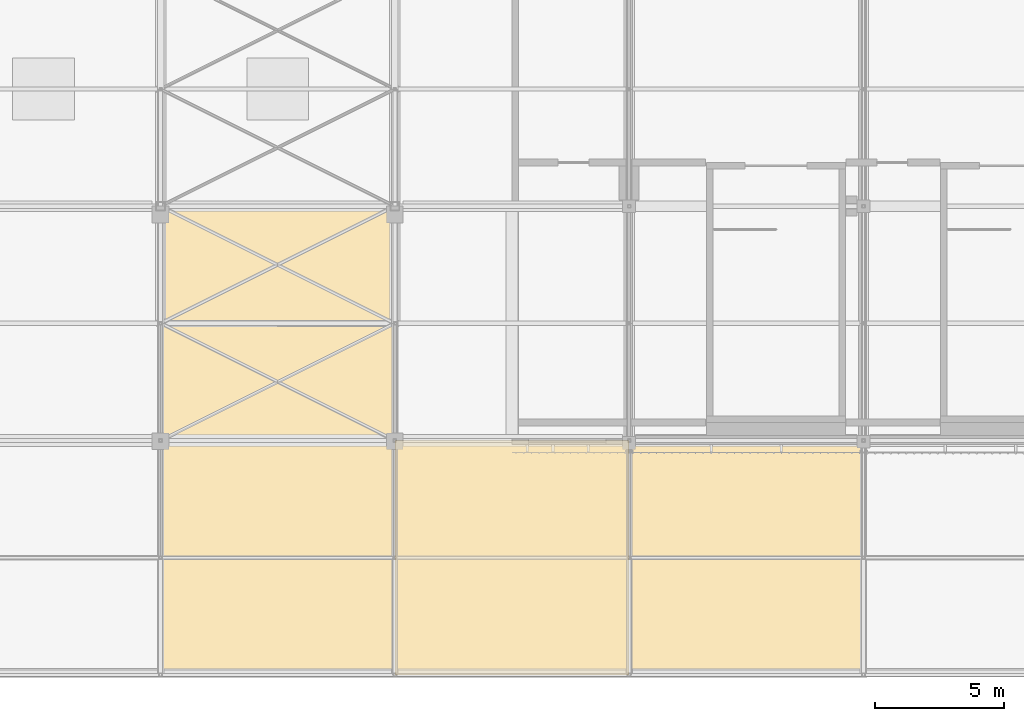
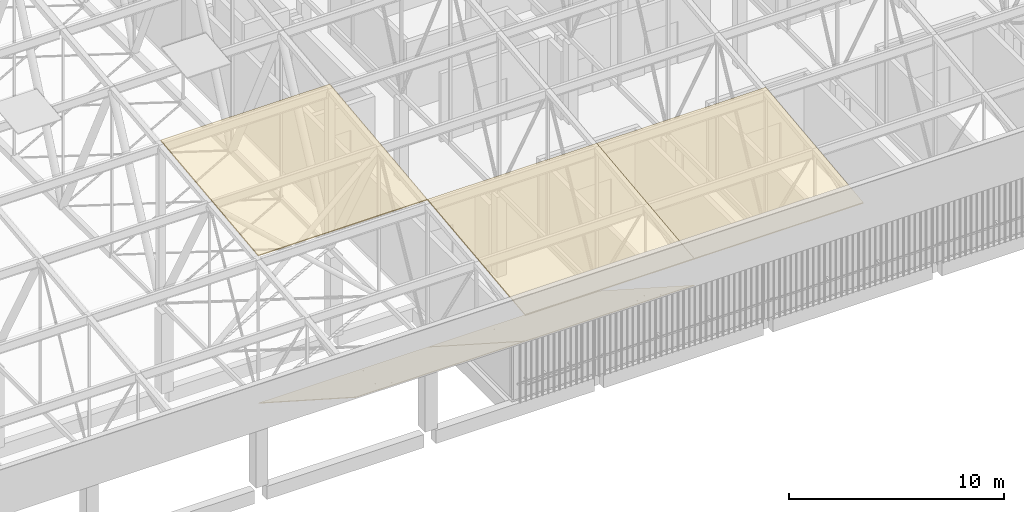
# One storey, part 467 of 500: 5 coverings.
"""IFC4 building model written with IfcOpenShell, lengths in metres."""

from ifc_helpers import new_model, si_unit, direction, frame, origin, place, context, subcontext, project, spatial, polyline, outline, extrude, material, layer, layer_set, type_object, element, save


model = new_model("IFC4")

# Units and contexts
model_context = context("Model", 3, precision=1e-05, world=origin(), true_north=direction((0.0, 1.0)))
body_context = subcontext(model_context, "Body", "Model", "MODEL_VIEW")
ifc_project = project(units=[si_unit("LENGTHUNIT", "METRE"), si_unit("AREAUNIT", "SQUARE_METRE"), si_unit("VOLUMEUNIT", "CUBIC_METRE"), si_unit("PLANEANGLEUNIT", "RADIAN"), si_unit("MASSUNIT", "GRAM", prefix="KILO")], contexts=[model_context])

# Site, building, storey
site_placement = place(None, origin())
site = spatial("IfcSite", under=ifc_project, at=site_placement, CompositionType="ELEMENT")
building_placement = place(site_placement, origin())
building = spatial("IfcBuilding", under=site, at=building_placement, Name="Shirokan Park Arena", CompositionType="ELEMENT")
storey_placement = place(building_placement, frame((0.0, 0.0, 29.1201171875)))
storey = spatial("IfcBuildingStorey", under=building, at=storey_placement, Name="L06", CompositionType="ELEMENT", Elevation=29.1201171875)

# Coverings
ifc_material_1 = material(Name="Bituminous roofing membrane")
ifc_layer_1 = layer(ifc_material_1, 0.010009765625, Name="Bituminous roofing membrane")
ifc_material_2 = material(Name="Mineral wool insulation")
ifc_layer_2 = layer(ifc_material_2, 0.050048828125, Name="Mineral wool insulation")
ifc_layer_set_1 = layer_set([ifc_layer_1, ifc_layer_2], Name="Bituminous roofing membrane + Mineral wool insulation")
covering_type_1 = type_object("IfcCoveringType", Name="Roofing membrane 60", PredefinedType="ROOFING", material=ifc_layer_set_1)
covering_1_placement = place(storey_placement, frame((91.0, 0.0, 12.9306640625), z_axis=(0.0, -0.113549598152, 0.993532328996), x_axis=(1.0, 0.0, 0.0)))
element("IfcCovering", 1, at=covering_1_placement, inside=storey, type_object=covering_type_1, Name="Roofing", PredefinedType="ROOFING", context=body_context, shape_type="SweptSolid", body=[
    extrude(outline(polyline([(0.0, 0.0), (9.10009765625, 0.0), (9.10009765625, 9.15933723611117), (0.0, 9.15933723611117), (0.0, 0.0)])), origin(), (0.0, 0.0, -1.0), 0.06005859375),
])
covering_2_placement = place(storey_placement, frame((100.10009765625, -9.10009765625, 11.890625), z_axis=(0.0, -0.113549598152, 0.993532328996), x_axis=(1.0, 0.0, 0.0)))
element("IfcCovering", 2, at=covering_2_placement, inside=storey, type_object=covering_type_1, Name="Roofing", PredefinedType="ROOFING", context=body_context, shape_type="SweptSolid", body=[
    extrude(outline(polyline([(0.0, 0.0), (9.099853515625, 0.0), (9.099853515625, 9.15933723611117), (0.0, 9.15933723611117), (0.0, 0.0)])), origin(), (0.0, 0.0, -1.0), 0.06005859375),
])
covering_3_placement = place(storey_placement, frame((109.199951171875, -9.10009765625, 11.890625), z_axis=(0.0, -0.113549598152, 0.993532328996), x_axis=(1.0, 0.0, 0.0)))
element("IfcCovering", 3, at=covering_3_placement, inside=storey, type_object=covering_type_1, Name="Roofing", PredefinedType="ROOFING", context=body_context, shape_type="SweptSolid", body=[
    extrude(outline(polyline([(0.0, 0.0), (9.10009765625, 0.0), (9.10009765625, 9.15933723611117), (0.0, 9.15933723611117), (0.0, 0.0)])), origin(), (0.0, 0.0, -1.0), 0.06005859375),
])
ifc_material_3 = material(Name="Timber soffit boards (cedar)", Category="wood")
ifc_layer_3 = layer(ifc_material_3, 0.030029296875)
ifc_layer_set_2 = layer_set([ifc_layer_3], Name="Timber soffit boards (cedar) 30 mm")
covering_type_2 = type_object("IfcCoveringType", Name="Timber boarded soffit panel", PredefinedType="CLADDING", material=ifc_layer_set_2)
covering_4_placement = place(storey_placement, origin())
element("IfcCovering", 4, at=covering_4_placement, inside=storey, type_object=covering_type_2, Name="Eave soffit south bay 11", PredefinedType="CLADDING", context=body_context, shape_type="SweptSolid", body=[
    extrude(outline(polyline([(0.0, 0.0), (0.14269332184794056, 0.0), (0.14269332184794056, -9.099999999999996), (0.0, -9.099999999999996), (0.0, 0.0)])), frame((100.10009765625, -8.97998046875, 10.3037109375), z_axis=(0.0, 0.541090493936, 0.840964373427), x_axis=(0.0, -0.840964373427, 0.541090493936)), (0.0, 0.0, -1.0), 0.030029296875),
    extrude(outline(polyline([(0.0, 0.0), (0.1426933218479412, 0.0), (0.1426933218479412, -9.099999999999994), (0.0, -9.099999999999994), (0.0, 0.0)])), frame((91.0, -0.1201171875, 4.60302734375), z_axis=(0.0, 0.541090493936, 0.840964373427), x_axis=(0.0, 0.840964373427, -0.541090493936)), (0.0, 0.0, -1.0), 0.030029296875),
    extrude(outline(polyline([(0.0, 0.0), (0.11999999999999034, 0.0), (0.11999999999999034, -10.535473996759707), (0.0, -10.535473996759707), (0.0, 0.0)])), frame((100.10009765625, -8.97998046875, 10.3037109375), z_axis=(0.0, 0.541084340558, 0.84096833258), x_axis=(-1.0, 0.0, 0.0)), (0.0, 0.0, -1.0), 0.030029296875),
    extrude(outline(polyline([(0.0, 0.0), (0.12000000000000455, 0.0), (0.12000000000000455, -10.535473996759707), (0.0, -10.535473996759707), (0.0, 0.0)])), frame((91.0, -0.1201171875, 4.60302734375), z_axis=(0.0, 0.541084340558, 0.84096833258), x_axis=(1.0, 0.0, 0.0)), (0.0, 0.0, -1.0), 0.030029296875),
    extrude(outline(polyline([(0.0, 0.0), (10.535473996759707, 0.0), (10.535473996759707, -0.183329999999998), (0.0, -0.183329999999998), (0.0, 0.0)])), frame((91.1201171875, -8.97998046875, 10.3037109375), z_axis=(0.0, 0.541084340558, 0.84096833258), x_axis=(0.0, 0.84096833258, -0.541084340558)), (0.0, 0.0, -1.0), 0.030029296875),
    extrude(outline(polyline([(0.0, 0.0), (10.535473996759707, 0.0), (10.535473996759707, -0.3033399999999915), (0.0, -0.3033399999999915), (0.0, 0.0)])), frame((91.30322265625, -8.97998046875, 10.3037109375), z_axis=(0.0, 0.541084340558, 0.84096833258), x_axis=(0.0, 0.84096833258, -0.541084340558)), (0.0, 0.0, -1.0), 0.030029296875),
    extrude(outline(polyline([(0.0, 0.0), (10.535473996759709, 0.0), (10.535473996759709, -0.3033300000000026), (0.0, -0.3033300000000026), (0.0, 0.0)])), frame((91.606689453125, -8.97998046875, 10.3037109375), z_axis=(0.0, 0.541084340558, 0.84096833258), x_axis=(0.0, 0.84096833258, -0.541084340558)), (0.0, 0.0, -1.0), 0.030029296875),
    extrude(outline(polyline([(0.0, 0.0), (10.535473996759709, 0.0), (10.535473996759709, -0.30333000000000254), (0.0, -0.30333000000000254), (0.0, 0.0)])), frame((91.909912109375, -8.97998046875, 10.3037109375), z_axis=(0.0, 0.541084340558, 0.84096833258), x_axis=(0.0, 0.84096833258, -0.541084340558)), (0.0, 0.0, -1.0), 0.030029296875),
    extrude(outline(polyline([(0.0, 0.0), (10.535473996759707, 0.0), (10.535473996759707, -0.3033400000000057), (0.0, -0.3033400000000057), (0.0, 0.0)])), frame((92.21337890625, -8.97998046875, 10.3037109375), z_axis=(0.0, 0.541084340558, 0.84096833258), x_axis=(0.0, 0.84096833258, -0.541084340558)), (0.0, 0.0, -1.0), 0.030029296875),
    extrude(outline(polyline([(0.0, 0.0), (10.535473996759707, 0.0), (10.535473996759707, -0.30332999999998833), (0.0, -0.30332999999998833), (0.0, 0.0)])), frame((92.5166015625, -8.97998046875, 10.3037109375), z_axis=(0.0, 0.541084340558, 0.84096833258), x_axis=(0.0, 0.84096833258, -0.541084340558)), (0.0, 0.0, -1.0), 0.030029296875),
    extrude(outline(polyline([(0.0, 0.0), (10.535473996759709, 0.0), (10.535473996759709, -0.3033300000000026), (0.0, -0.3033300000000026), (0.0, 0.0)])), frame((92.820068359375, -8.97998046875, 10.3037109375), z_axis=(0.0, 0.541084340558, 0.84096833258), x_axis=(0.0, 0.84096833258, -0.541084340558)), (0.0, 0.0, -1.0), 0.030029296875),
    extrude(outline(polyline([(0.0, 0.0), (10.535473996759707, 0.0), (10.535473996759707, -0.3033400000000057), (0.0, -0.3033400000000057), (0.0, 0.0)])), frame((93.123291015625, -8.97998046875, 10.3037109375), z_axis=(0.0, 0.541084340558, 0.84096833258), x_axis=(0.0, 0.84096833258, -0.541084340558)), (0.0, 0.0, -1.0), 0.030029296875),
    extrude(outline(polyline([(0.0, 0.0), (10.535473996759709, 0.0), (10.535473996759709, -0.30333000000000254), (0.0, -0.30333000000000254), (0.0, 0.0)])), frame((93.4267578125, -8.97998046875, 10.3037109375), z_axis=(0.0, 0.541084340558, 0.84096833258), x_axis=(0.0, 0.84096833258, -0.541084340558)), (0.0, 0.0, -1.0), 0.030029296875),
    extrude(outline(polyline([(0.0, 0.0), (10.535473996759709, 0.0), (10.535473996759709, -0.30333000000000254), (0.0, -0.30333000000000254), (0.0, 0.0)])), frame((93.72998046875, -8.97998046875, 10.3037109375), z_axis=(0.0, 0.541084340558, 0.84096833258), x_axis=(0.0, 0.84096833258, -0.541084340558)), (0.0, 0.0, -1.0), 0.030029296875),
    extrude(outline(polyline([(0.0, 0.0), (10.535473996759707, 0.0), (10.535473996759707, -0.3033399999999915), (0.0, -0.3033399999999915), (0.0, 0.0)])), frame((94.033447265625, -8.97998046875, 10.3037109375), z_axis=(0.0, 0.541084340558, 0.84096833258), x_axis=(0.0, 0.84096833258, -0.541084340558)), (0.0, 0.0, -1.0), 0.030029296875),
    extrude(outline(polyline([(0.0, 0.0), (10.535473996759709, 0.0), (10.535473996759709, -0.30333000000000254), (0.0, -0.30333000000000254), (0.0, 0.0)])), frame((94.336669921875, -8.97998046875, 10.3037109375), z_axis=(0.0, 0.541084340558, 0.84096833258), x_axis=(0.0, 0.84096833258, -0.541084340558)), (0.0, 0.0, -1.0), 0.030029296875),
    extrude(outline(polyline([(0.0, 0.0), (10.535473996759709, 0.0), (10.535473996759709, -0.30333000000000254), (0.0, -0.30333000000000254), (0.0, 0.0)])), frame((94.639892578125, -8.97998046875, 10.3037109375), z_axis=(0.0, 0.541084340558, 0.84096833258), x_axis=(0.0, 0.84096833258, -0.541084340558)), (0.0, 0.0, -1.0), 0.030029296875),
    extrude(outline(polyline([(0.0, 0.0), (10.535473996759707, 0.0), (10.535473996759707, -0.3033399999999915), (0.0, -0.3033399999999915), (0.0, 0.0)])), frame((94.943359375, -8.97998046875, 10.3037109375), z_axis=(0.0, 0.541084340558, 0.84096833258), x_axis=(0.0, 0.84096833258, -0.541084340558)), (0.0, 0.0, -1.0), 0.030029296875),
    extrude(outline(polyline([(0.0, 0.0), (10.535473996759709, 0.0), (10.535473996759709, -0.3033300000000026), (0.0, -0.3033300000000026), (0.0, 0.0)])), frame((95.24658203125, -8.97998046875, 10.3037109375), z_axis=(0.0, 0.541084340558, 0.84096833258), x_axis=(0.0, 0.84096833258, -0.541084340558)), (0.0, 0.0, -1.0), 0.030029296875),
    extrude(outline(polyline([(0.0, 0.0), (10.535473996759709, 0.0), (10.535473996759709, -0.30333000000000254), (0.0, -0.30333000000000254), (0.0, 0.0)])), frame((95.550048828125, -8.97998046875, 10.3037109375), z_axis=(0.0, 0.541084340558, 0.84096833258), x_axis=(0.0, 0.84096833258, -0.541084340558)), (0.0, 0.0, -1.0), 0.030029296875),
    extrude(outline(polyline([(0.0, 0.0), (10.535473996759707, 0.0), (10.535473996759707, -0.3033400000000057), (0.0, -0.3033400000000057), (0.0, 0.0)])), frame((95.853271484375, -8.97998046875, 10.3037109375), z_axis=(0.0, 0.541084340558, 0.84096833258), x_axis=(0.0, 0.84096833258, -0.541084340558)), (0.0, 0.0, -1.0), 0.030029296875),
    extrude(outline(polyline([(0.0, 0.0), (10.535473996759707, 0.0), (10.535473996759707, -0.30332999999998833), (0.0, -0.30332999999998833), (0.0, 0.0)])), frame((96.15673828125, -8.97998046875, 10.3037109375), z_axis=(0.0, 0.541084340558, 0.84096833258), x_axis=(0.0, 0.84096833258, -0.541084340558)), (0.0, 0.0, -1.0), 0.030029296875),
    extrude(outline(polyline([(0.0, 0.0), (10.535473996759709, 0.0), (10.535473996759709, -0.3033300000000026), (0.0, -0.3033300000000026), (0.0, 0.0)])), frame((96.4599609375, -8.97998046875, 10.3037109375), z_axis=(0.0, 0.541084340558, 0.84096833258), x_axis=(0.0, 0.84096833258, -0.541084340558)), (0.0, 0.0, -1.0), 0.030029296875),
    extrude(outline(polyline([(0.0, 0.0), (10.535473996759707, 0.0), (10.535473996759707, -0.3033400000000057), (0.0, -0.3033400000000057), (0.0, 0.0)])), frame((96.763427734375, -8.97998046875, 10.3037109375), z_axis=(0.0, 0.541084340558, 0.84096833258), x_axis=(0.0, 0.84096833258, -0.541084340558)), (0.0, 0.0, -1.0), 0.030029296875),
    extrude(outline(polyline([(0.0, 0.0), (10.535473996759709, 0.0), (10.535473996759709, -0.30333000000000254), (0.0, -0.30333000000000254), (0.0, 0.0)])), frame((97.066650390625, -8.97998046875, 10.3037109375), z_axis=(0.0, 0.541084340558, 0.84096833258), x_axis=(0.0, 0.84096833258, -0.541084340558)), (0.0, 0.0, -1.0), 0.030029296875),
    extrude(outline(polyline([(0.0, 0.0), (10.535473996759709, 0.0), (10.535473996759709, -0.30333000000000254), (0.0, -0.30333000000000254), (0.0, 0.0)])), frame((97.3701171875, -8.97998046875, 10.3037109375), z_axis=(0.0, 0.541084340558, 0.84096833258), x_axis=(0.0, 0.84096833258, -0.541084340558)), (0.0, 0.0, -1.0), 0.030029296875),
    extrude(outline(polyline([(0.0, 0.0), (10.535473996759707, 0.0), (10.535473996759707, -0.3033399999999915), (0.0, -0.3033399999999915), (0.0, 0.0)])), frame((97.67333984375, -8.97998046875, 10.3037109375), z_axis=(0.0, 0.541084340558, 0.84096833258), x_axis=(0.0, 0.84096833258, -0.541084340558)), (0.0, 0.0, -1.0), 0.030029296875),
    extrude(outline(polyline([(0.0, 0.0), (10.535473996759709, 0.0), (10.535473996759709, -0.3033300000000026), (0.0, -0.3033300000000026), (0.0, 0.0)])), frame((97.9765625, -8.97998046875, 10.3037109375), z_axis=(0.0, 0.541084340558, 0.84096833258), x_axis=(0.0, 0.84096833258, -0.541084340558)), (0.0, 0.0, -1.0), 0.030029296875),
    extrude(outline(polyline([(0.0, 0.0), (10.535473996759709, 0.0), (10.535473996759709, -0.30333000000000254), (0.0, -0.30333000000000254), (0.0, 0.0)])), frame((98.280029296875, -8.97998046875, 10.3037109375), z_axis=(0.0, 0.541084340558, 0.84096833258), x_axis=(0.0, 0.84096833258, -0.541084340558)), (0.0, 0.0, -1.0), 0.030029296875),
    extrude(outline(polyline([(0.0, 0.0), (10.535473996759707, 0.0), (10.535473996759707, -0.3033399999999915), (0.0, -0.3033399999999915), (0.0, 0.0)])), frame((98.583251953125, -8.97998046875, 10.3037109375), z_axis=(0.0, 0.541084340558, 0.84096833258), x_axis=(0.0, 0.84096833258, -0.541084340558)), (0.0, 0.0, -1.0), 0.030029296875),
    extrude(outline(polyline([(0.0, 0.0), (10.535473996759709, 0.0), (10.535473996759709, -0.3033300000000026), (0.0, -0.3033300000000026), (0.0, 0.0)])), frame((98.88671875, -8.97998046875, 10.3037109375), z_axis=(0.0, 0.541084340558, 0.84096833258), x_axis=(0.0, 0.84096833258, -0.541084340558)), (0.0, 0.0, -1.0), 0.030029296875),
    extrude(outline(polyline([(0.0, 0.0), (10.535473996759709, 0.0), (10.535473996759709, -0.30333000000000254), (0.0, -0.30333000000000254), (0.0, 0.0)])), frame((99.18994140625, -8.97998046875, 10.3037109375), z_axis=(0.0, 0.541084340558, 0.84096833258), x_axis=(0.0, 0.84096833258, -0.541084340558)), (0.0, 0.0, -1.0), 0.030029296875),
    extrude(outline(polyline([(0.0, 0.0), (10.535473996759707, 0.0), (10.535473996759707, -0.3033400000000057), (0.0, -0.3033400000000057), (0.0, 0.0)])), frame((99.493408203125, -8.97998046875, 10.3037109375), z_axis=(0.0, 0.541084340558, 0.84096833258), x_axis=(0.0, 0.84096833258, -0.541084340558)), (0.0, 0.0, -1.0), 0.030029296875),
    extrude(outline(polyline([(0.0, 0.0), (10.535473996759707, 0.0), (10.535473996759707, -0.183329999999998), (0.0, -0.183329999999998), (0.0, 0.0)])), frame((99.796630859375, -8.97998046875, 10.3037109375), z_axis=(0.0, 0.541084340558, 0.84096833258), x_axis=(0.0, 0.84096833258, -0.541084340558)), (0.0, 0.0, -1.0), 0.030029296875),
])
covering_5_placement = place(storey_placement, origin())
element("IfcCovering", 5, at=covering_5_placement, inside=storey, type_object=covering_type_2, Name="Eave soffit south bay 12", PredefinedType="CLADDING", context=body_context, shape_type="SweptSolid", body=[
    extrude(outline(polyline([(0.0, 0.0), (0.14269332184794056, 0.0), (0.14269332184794056, -9.10000000000001), (0.0, -9.10000000000001), (0.0, 0.0)])), frame((109.199951171875, -8.97998046875, 10.3037109375), z_axis=(0.0, 0.541090493936, 0.840964373427), x_axis=(0.0, -0.840964373427, 0.541090493936)), (0.0, 0.0, -1.0), 0.030029296875),
    extrude(outline(polyline([(0.0, 0.0), (0.1426933218479412, 0.0), (0.1426933218479412, -9.10000000000001), (0.0, -9.10000000000001), (0.0, 0.0)])), frame((100.10009765625, -0.1201171875, 4.60302734375), z_axis=(0.0, 0.541090493936, 0.840964373427), x_axis=(0.0, 0.840964373427, -0.541090493936)), (0.0, 0.0, -1.0), 0.030029296875),
    extrude(outline(polyline([(0.0, 0.0), (0.12000000000000455, 0.0), (0.12000000000000455, -10.535473996759707), (0.0, -10.535473996759707), (0.0, 0.0)])), frame((109.199951171875, -8.97998046875, 10.3037109375), z_axis=(0.0, 0.541084340558, 0.84096833258), x_axis=(-1.0, 0.0, 0.0)), (0.0, 0.0, -1.0), 0.030029296875),
    extrude(outline(polyline([(0.0, 0.0), (0.12000000000000455, 0.0), (0.12000000000000455, -10.535473996759707), (0.0, -10.535473996759707), (0.0, 0.0)])), frame((100.10009765625, -0.1201171875, 4.60302734375), z_axis=(0.0, 0.541084340558, 0.84096833258), x_axis=(1.0, 0.0, 0.0)), (0.0, 0.0, -1.0), 0.030029296875),
    extrude(outline(polyline([(0.0, 0.0), (10.535473996759707, 0.0), (10.535473996759707, -0.183329999999998), (0.0, -0.183329999999998), (0.0, 0.0)])), frame((100.219970703125, -8.97998046875, 10.3037109375), z_axis=(0.0, 0.541084340558, 0.84096833258), x_axis=(0.0, 0.84096833258, -0.541084340558)), (0.0, 0.0, -1.0), 0.030029296875),
    extrude(outline(polyline([(0.0, 0.0), (10.535473996759707, 0.0), (10.535473996759707, -0.3033400000000057), (0.0, -0.3033400000000057), (0.0, 0.0)])), frame((100.4033203125, -8.97998046875, 10.3037109375), z_axis=(0.0, 0.541084340558, 0.84096833258), x_axis=(0.0, 0.84096833258, -0.541084340558)), (0.0, 0.0, -1.0), 0.030029296875),
    extrude(outline(polyline([(0.0, 0.0), (10.535473996759709, 0.0), (10.535473996759709, -0.30333000000000254), (0.0, -0.30333000000000254), (0.0, 0.0)])), frame((100.706787109375, -8.97998046875, 10.3037109375), z_axis=(0.0, 0.541084340558, 0.84096833258), x_axis=(0.0, 0.84096833258, -0.541084340558)), (0.0, 0.0, -1.0), 0.030029296875),
    extrude(outline(polyline([(0.0, 0.0), (10.535473996759707, 0.0), (10.535473996759707, -0.30332999999998833), (0.0, -0.30332999999998833), (0.0, 0.0)])), frame((101.010009765625, -8.97998046875, 10.3037109375), z_axis=(0.0, 0.541084340558, 0.84096833258), x_axis=(0.0, 0.84096833258, -0.541084340558)), (0.0, 0.0, -1.0), 0.030029296875),
    extrude(outline(polyline([(0.0, 0.0), (10.535473996759707, 0.0), (10.535473996759707, -0.3033400000000057), (0.0, -0.3033400000000057), (0.0, 0.0)])), frame((101.313232421875, -8.97998046875, 10.3037109375), z_axis=(0.0, 0.541084340558, 0.84096833258), x_axis=(0.0, 0.84096833258, -0.541084340558)), (0.0, 0.0, -1.0), 0.030029296875),
    extrude(outline(polyline([(0.0, 0.0), (10.535473996759709, 0.0), (10.535473996759709, -0.3033300000000026), (0.0, -0.3033300000000026), (0.0, 0.0)])), frame((101.61669921875, -8.97998046875, 10.3037109375), z_axis=(0.0, 0.541084340558, 0.84096833258), x_axis=(0.0, 0.84096833258, -0.541084340558)), (0.0, 0.0, -1.0), 0.030029296875),
    extrude(outline(polyline([(0.0, 0.0), (10.535473996759709, 0.0), (10.535473996759709, -0.30333000000000254), (0.0, -0.30333000000000254), (0.0, 0.0)])), frame((101.919921875, -8.97998046875, 10.3037109375), z_axis=(0.0, 0.541084340558, 0.84096833258), x_axis=(0.0, 0.84096833258, -0.541084340558)), (0.0, 0.0, -1.0), 0.030029296875),
    extrude(outline(polyline([(0.0, 0.0), (10.535473996759707, 0.0), (10.535473996759707, -0.3033399999999915), (0.0, -0.3033399999999915), (0.0, 0.0)])), frame((102.223388671875, -8.97998046875, 10.3037109375), z_axis=(0.0, 0.541084340558, 0.84096833258), x_axis=(0.0, 0.84096833258, -0.541084340558)), (0.0, 0.0, -1.0), 0.030029296875),
    extrude(outline(polyline([(0.0, 0.0), (10.535473996759709, 0.0), (10.535473996759709, -0.30333000000000254), (0.0, -0.30333000000000254), (0.0, 0.0)])), frame((102.526611328125, -8.97998046875, 10.3037109375), z_axis=(0.0, 0.541084340558, 0.84096833258), x_axis=(0.0, 0.84096833258, -0.541084340558)), (0.0, 0.0, -1.0), 0.030029296875),
    extrude(outline(polyline([(0.0, 0.0), (10.535473996759709, 0.0), (10.535473996759709, -0.3033300000000026), (0.0, -0.3033300000000026), (0.0, 0.0)])), frame((102.830078125, -8.97998046875, 10.3037109375), z_axis=(0.0, 0.541084340558, 0.84096833258), x_axis=(0.0, 0.84096833258, -0.541084340558)), (0.0, 0.0, -1.0), 0.030029296875),
    extrude(outline(polyline([(0.0, 0.0), (10.535473996759707, 0.0), (10.535473996759707, -0.3033400000000057), (0.0, -0.3033400000000057), (0.0, 0.0)])), frame((103.13330078125, -8.97998046875, 10.3037109375), z_axis=(0.0, 0.541084340558, 0.84096833258), x_axis=(0.0, 0.84096833258, -0.541084340558)), (0.0, 0.0, -1.0), 0.030029296875),
    extrude(outline(polyline([(0.0, 0.0), (10.535473996759707, 0.0), (10.535473996759707, -0.30332999999998833), (0.0, -0.30332999999998833), (0.0, 0.0)])), frame((103.436767578125, -8.97998046875, 10.3037109375), z_axis=(0.0, 0.541084340558, 0.84096833258), x_axis=(0.0, 0.84096833258, -0.541084340558)), (0.0, 0.0, -1.0), 0.030029296875),
    extrude(outline(polyline([(0.0, 0.0), (10.535473996759709, 0.0), (10.535473996759709, -0.3033300000000026), (0.0, -0.3033300000000026), (0.0, 0.0)])), frame((103.739990234375, -8.97998046875, 10.3037109375), z_axis=(0.0, 0.541084340558, 0.84096833258), x_axis=(0.0, 0.84096833258, -0.541084340558)), (0.0, 0.0, -1.0), 0.030029296875),
    extrude(outline(polyline([(0.0, 0.0), (10.535473996759707, 0.0), (10.535473996759707, -0.3033400000000057), (0.0, -0.3033400000000057), (0.0, 0.0)])), frame((104.043212890625, -8.97998046875, 10.3037109375), z_axis=(0.0, 0.541084340558, 0.84096833258), x_axis=(0.0, 0.84096833258, -0.541084340558)), (0.0, 0.0, -1.0), 0.030029296875),
    extrude(outline(polyline([(0.0, 0.0), (10.535473996759709, 0.0), (10.535473996759709, -0.30333000000000254), (0.0, -0.30333000000000254), (0.0, 0.0)])), frame((104.3466796875, -8.97998046875, 10.3037109375), z_axis=(0.0, 0.541084340558, 0.84096833258), x_axis=(0.0, 0.84096833258, -0.541084340558)), (0.0, 0.0, -1.0), 0.030029296875),
    extrude(outline(polyline([(0.0, 0.0), (10.535473996759707, 0.0), (10.535473996759707, -0.30332999999998833), (0.0, -0.30332999999998833), (0.0, 0.0)])), frame((104.64990234375, -8.97998046875, 10.3037109375), z_axis=(0.0, 0.541084340558, 0.84096833258), x_axis=(0.0, 0.84096833258, -0.541084340558)), (0.0, 0.0, -1.0), 0.030029296875),
    extrude(outline(polyline([(0.0, 0.0), (10.535473996759707, 0.0), (10.535473996759707, -0.3033400000000057), (0.0, -0.3033400000000057), (0.0, 0.0)])), frame((104.953369140625, -8.97998046875, 10.3037109375), z_axis=(0.0, 0.541084340558, 0.84096833258), x_axis=(0.0, 0.84096833258, -0.541084340558)), (0.0, 0.0, -1.0), 0.030029296875),
    extrude(outline(polyline([(0.0, 0.0), (10.535473996759709, 0.0), (10.535473996759709, -0.3033300000000026), (0.0, -0.3033300000000026), (0.0, 0.0)])), frame((105.256591796875, -8.97998046875, 10.3037109375), z_axis=(0.0, 0.541084340558, 0.84096833258), x_axis=(0.0, 0.84096833258, -0.541084340558)), (0.0, 0.0, -1.0), 0.030029296875),
    extrude(outline(polyline([(0.0, 0.0), (10.535473996759709, 0.0), (10.535473996759709, -0.30333000000000254), (0.0, -0.30333000000000254), (0.0, 0.0)])), frame((105.56005859375, -8.97998046875, 10.3037109375), z_axis=(0.0, 0.541084340558, 0.84096833258), x_axis=(0.0, 0.84096833258, -0.541084340558)), (0.0, 0.0, -1.0), 0.030029296875),
    extrude(outline(polyline([(0.0, 0.0), (10.535473996759707, 0.0), (10.535473996759707, -0.3033399999999915), (0.0, -0.3033399999999915), (0.0, 0.0)])), frame((105.86328125, -8.97998046875, 10.3037109375), z_axis=(0.0, 0.541084340558, 0.84096833258), x_axis=(0.0, 0.84096833258, -0.541084340558)), (0.0, 0.0, -1.0), 0.030029296875),
    extrude(outline(polyline([(0.0, 0.0), (10.535473996759709, 0.0), (10.535473996759709, -0.30333000000000254), (0.0, -0.30333000000000254), (0.0, 0.0)])), frame((106.166748046875, -8.97998046875, 10.3037109375), z_axis=(0.0, 0.541084340558, 0.84096833258), x_axis=(0.0, 0.84096833258, -0.541084340558)), (0.0, 0.0, -1.0), 0.030029296875),
    extrude(outline(polyline([(0.0, 0.0), (10.535473996759709, 0.0), (10.535473996759709, -0.3033300000000026), (0.0, -0.3033300000000026), (0.0, 0.0)])), frame((106.469970703125, -8.97998046875, 10.3037109375), z_axis=(0.0, 0.541084340558, 0.84096833258), x_axis=(0.0, 0.84096833258, -0.541084340558)), (0.0, 0.0, -1.0), 0.030029296875),
    extrude(outline(polyline([(0.0, 0.0), (10.535473996759707, 0.0), (10.535473996759707, -0.3033399999999915), (0.0, -0.3033399999999915), (0.0, 0.0)])), frame((106.7734375, -8.97998046875, 10.3037109375), z_axis=(0.0, 0.541084340558, 0.84096833258), x_axis=(0.0, 0.84096833258, -0.541084340558)), (0.0, 0.0, -1.0), 0.030029296875),
    extrude(outline(polyline([(0.0, 0.0), (10.535473996759709, 0.0), (10.535473996759709, -0.30333000000000254), (0.0, -0.30333000000000254), (0.0, 0.0)])), frame((107.07666015625, -8.97998046875, 10.3037109375), z_axis=(0.0, 0.541084340558, 0.84096833258), x_axis=(0.0, 0.84096833258, -0.541084340558)), (0.0, 0.0, -1.0), 0.030029296875),
    extrude(outline(polyline([(0.0, 0.0), (10.535473996759709, 0.0), (10.535473996759709, -0.30333000000000254), (0.0, -0.30333000000000254), (0.0, 0.0)])), frame((107.3798828125, -8.97998046875, 10.3037109375), z_axis=(0.0, 0.541084340558, 0.84096833258), x_axis=(0.0, 0.84096833258, -0.541084340558)), (0.0, 0.0, -1.0), 0.030029296875),
    extrude(outline(polyline([(0.0, 0.0), (10.535473996759707, 0.0), (10.535473996759707, -0.3033400000000057), (0.0, -0.3033400000000057), (0.0, 0.0)])), frame((107.683349609375, -8.97998046875, 10.3037109375), z_axis=(0.0, 0.541084340558, 0.84096833258), x_axis=(0.0, 0.84096833258, -0.541084340558)), (0.0, 0.0, -1.0), 0.030029296875),
    extrude(outline(polyline([(0.0, 0.0), (10.535473996759709, 0.0), (10.535473996759709, -0.3033300000000026), (0.0, -0.3033300000000026), (0.0, 0.0)])), frame((107.986572265625, -8.97998046875, 10.3037109375), z_axis=(0.0, 0.541084340558, 0.84096833258), x_axis=(0.0, 0.84096833258, -0.541084340558)), (0.0, 0.0, -1.0), 0.030029296875),
    extrude(outline(polyline([(0.0, 0.0), (10.535473996759707, 0.0), (10.535473996759707, -0.30332999999998833), (0.0, -0.30332999999998833), (0.0, 0.0)])), frame((108.2900390625, -8.97998046875, 10.3037109375), z_axis=(0.0, 0.541084340558, 0.84096833258), x_axis=(0.0, 0.84096833258, -0.541084340558)), (0.0, 0.0, -1.0), 0.030029296875),
    extrude(outline(polyline([(0.0, 0.0), (10.535473996759707, 0.0), (10.535473996759707, -0.3033400000000057), (0.0, -0.3033400000000057), (0.0, 0.0)])), frame((108.59326171875, -8.97998046875, 10.3037109375), z_axis=(0.0, 0.541084340558, 0.84096833258), x_axis=(0.0, 0.84096833258, -0.541084340558)), (0.0, 0.0, -1.0), 0.030029296875),
    extrude(outline(polyline([(0.0, 0.0), (0.183329999999998, 0.0), (0.183329999999998, -10.535473996759707), (0.0, -10.535473996759707), (0.0, 0.0)])), frame((109.080078125, -8.97998046875, 10.3037109375), z_axis=(0.0, 0.541084340558, 0.84096833258), x_axis=(-1.0, 0.0, 0.0)), (0.0, 0.0, -1.0), 0.030029296875),
])

save(model, "model.ifc")
